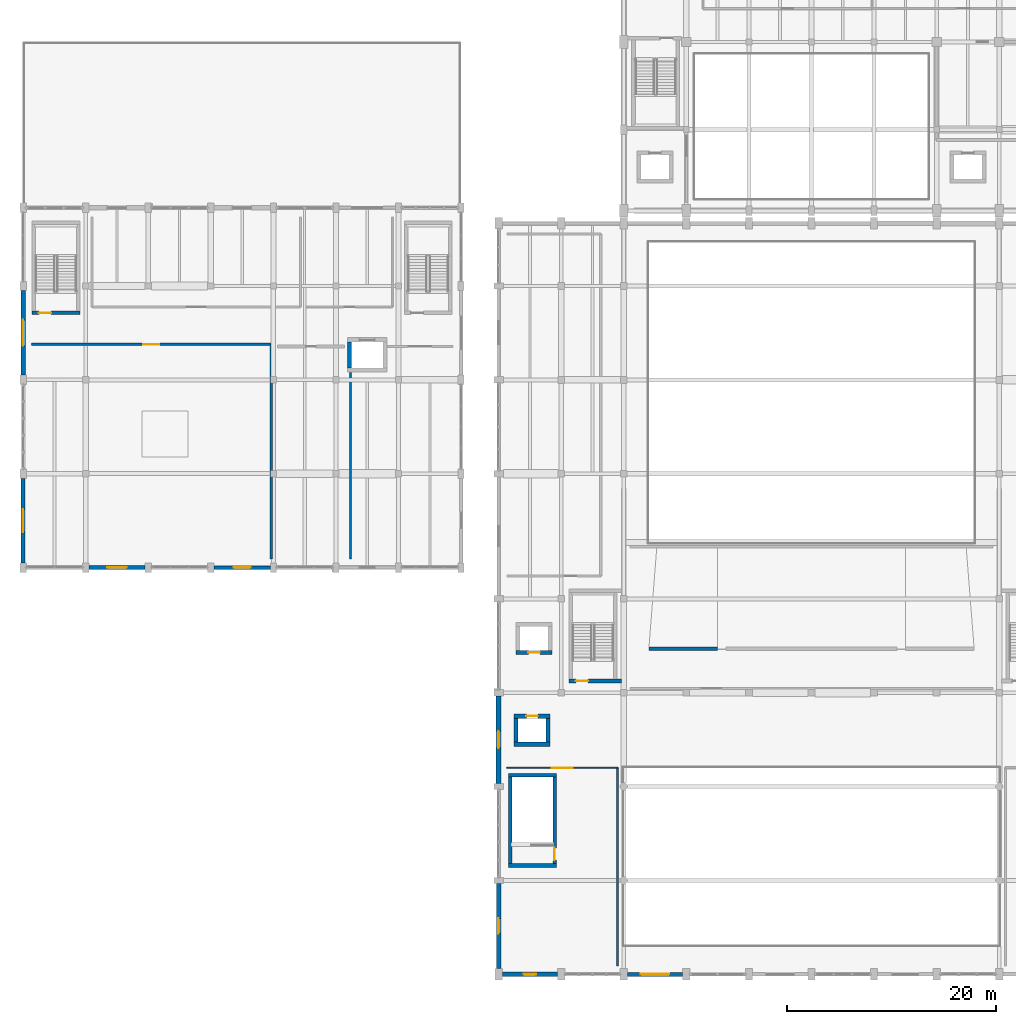
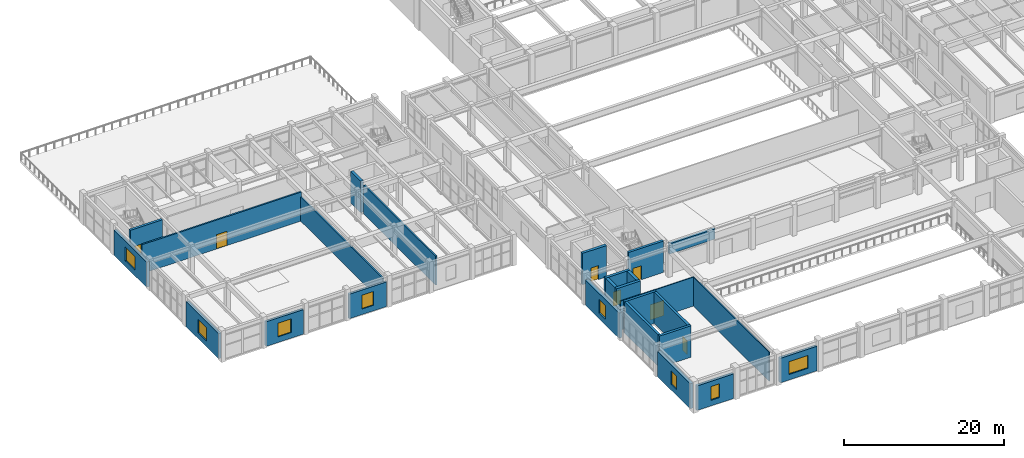
# One storey, part 56 of 80: 26 walls, 8 windows, 7 doors, 15 openings.
"""IFC4 building model written with IfcOpenShell, lengths in metres."""

from ifc_helpers import new_model, si_unit, direction, frame, frame_2d, origin, place, context, subcontext, project, spatial, rectangle, extrude, material, layer, layer_set, type_object, element, fill, save


model = new_model("IFC4")

# Units and contexts
model_context = context("Model", 3, precision=1e-05, world=origin(), true_north=direction((0.0, 1.0)))
body_context = subcontext(model_context, "Body", "Model", "MODEL_VIEW")
ifc_project = project(units=[si_unit("LENGTHUNIT", "METRE"), si_unit("AREAUNIT", "SQUARE_METRE"), si_unit("VOLUMEUNIT", "CUBIC_METRE"), si_unit("PLANEANGLEUNIT", "RADIAN"), si_unit("MASSUNIT", "GRAM", prefix="KILO")], contexts=[model_context])

# Site, building, storey
site_placement = place(None, origin())
site = spatial("IfcSite", under=ifc_project, at=site_placement, CompositionType="ELEMENT")
building_placement = place(site_placement, origin())
building = spatial("IfcBuilding", under=site, at=building_placement, Name="Vaelkrest Opera House", CompositionType="ELEMENT")
storey_placement = place(building_placement, frame((0.0, 0.0, 15.0)))
storey = spatial("IfcBuildingStorey", under=building, at=storey_placement, Name="L03", CompositionType="ELEMENT", Elevation=15.0)

# Wall, opening, window
ifc_material_1 = material(Name="American black walnut acoustic timber", Category="wood")
ifc_layer_1 = layer(ifc_material_1, 0.3349609375)
ifc_layer_set_1 = layer_set([ifc_layer_1], Name="American black walnut acoustic timber")
wall_type_1 = type_object("IfcWallType", Name="EW05", PredefinedType="STANDARD", material=ifc_layer_set_1)
wall_1_placement = place(storey_placement, frame((-51.89794921875, -16.800048828125, 0.0), z_axis=(0.0, 0.0, 1.0), x_axis=(-1.0, 0.0, 0.0)))
wall_1 = element("IfcWall", 1, at=wall_1_placement, inside=storey, type_object=wall_type_1, Name="Exterior facade wall EW-V3-L03-0185", PredefinedType="STANDARD", context=body_context, shape_type="SweptSolid", body=[
    extrude(rectangle(XDim=5.404052734375, YDim=0.3349609375, at=frame_2d((2.7021484375, 0.0))), origin(), (0.0, 0.0, 1.0), 3.7451171875),
])
opening_1_placement = place(wall_1_placement, frame((1.876953125, 0.0, 0.85009765625)))
opening_1 = element("IfcOpeningElement", 2, at=opening_1_placement, cuts=wall_1, Name="Opening WN093", PredefinedType="OPENING", context=body_context, shape_type="SweptSolid", body=[
    extrude(rectangle(XDim=1.64990234375, YDim=2.10009765625, at=frame_2d((0.824951171875, 1.050048828125))), frame((0.0, 0.177490234375, 0.0), z_axis=(0.0, -1.0, 0.0), x_axis=(1.0, 0.0, 0.0)), (0.0, 0.0, 1.0), 0.35498046875),
])
ifc_material_2 = material(Name="Double low-E insulated glazing", Category="glass")
window_type_1 = type_object("IfcWindowType", Name="WT15", PartitioningType="SINGLE_PANEL", PredefinedType="WINDOW", material=ifc_material_2)
window_1_placement = place(opening_1_placement, origin())
window_1 = element("IfcWindow", 3, at=window_1_placement, inside=storey, type_object=window_type_1, Name="Facade window WN093", OverallHeight=2.10009765625, OverallWidth=1.64990234375, PartitioningType="SINGLE_PANEL", PredefinedType="WINDOW", context=body_context, shape_type="SweptSolid", body=[
    extrude(rectangle(XDim=1.64990234375, YDim=2.10009765625, at=frame_2d((0.824951171875, 1.050048828125))), frame((0.0, 0.030029296875, 0.0), z_axis=(0.0, -1.0, 0.0), x_axis=(1.0, 0.0, 0.0)), (0.0, 0.0, 1.0), 0.06005859375),
])
fill(opening_1, window_1)

ifc_layer_2 = layer(ifc_material_1, 0.360107421875)
ifc_layer_set_2 = layer_set([ifc_layer_2], Name="American black walnut acoustic timber")
wall_type_2 = type_object("IfcWallType", Name="EW06", PredefinedType="STANDARD", material=ifc_layer_set_2)
wall_2_placement = place(storey_placement, frame((-63.89794921875, -16.800048828125, 0.0), z_axis=(0.0, 0.0, 1.0), x_axis=(-1.0, 0.0, 0.0)))
wall_2 = element("IfcWall", 4, at=wall_2_placement, inside=storey, type_object=wall_type_2, Name="Exterior facade wall EW-V3-L03-0186", PredefinedType="STANDARD", context=body_context, shape_type="SweptSolid", body=[
    extrude(rectangle(XDim=5.404052734375, YDim=0.360107421875, at=frame_2d((2.7021484375, 0.0))), origin(), (0.0, 0.0, 1.0), 3.7451171875),
])
opening_2_placement = place(wall_2_placement, frame((1.751953125, 0.0, 0.85009765625)))
opening_2 = element("IfcOpeningElement", 5, at=opening_2_placement, cuts=wall_2, Name="Opening WN094", PredefinedType="OPENING", context=body_context, shape_type="SweptSolid", body=[
    extrude(rectangle(XDim=1.89990234375, YDim=2.10009765625, at=frame_2d((0.949951171875, 1.050048828125))), frame((0.0, 0.18994140625, 0.0), z_axis=(0.0, -1.0, 0.0), x_axis=(1.0, 0.0, 0.0)), (0.0, 0.0, 1.0), 0.380126953125),
])
window_type_2 = type_object("IfcWindowType", Name="WT16", PartitioningType="SINGLE_PANEL", PredefinedType="WINDOW", material=ifc_material_2)
window_2_placement = place(opening_2_placement, origin())
window_2 = element("IfcWindow", 6, at=window_2_placement, inside=storey, type_object=window_type_2, Name="Facade window WN094", OverallHeight=2.10009765625, OverallWidth=1.89990234375, PartitioningType="SINGLE_PANEL", PredefinedType="WINDOW", context=body_context, shape_type="SweptSolid", body=[
    extrude(rectangle(XDim=1.89990234375, YDim=2.10009765625, at=frame_2d((0.949951171875, 1.050048828125))), frame((0.0, 0.030029296875, 0.0), z_axis=(0.0, -1.0, 0.0), x_axis=(1.0, 0.0, 0.0)), (0.0, 0.0, 1.0), 0.06005859375),
])
fill(opening_2, window_2)

ifc_material_3 = material(Name="Concrete C40/50", Category="concrete")
ifc_layer_3 = layer(ifc_material_3, 0.385009765625)
ifc_layer_set_3 = layer_set([ifc_layer_3], Name="Concrete C40/50")
wall_type_3 = type_object("IfcWallType", Name="EW07", PredefinedType="STANDARD", material=ifc_layer_set_3)
wall_3_placement = place(storey_placement, frame((-12.347900390625, -55.800048828125, 0.0), z_axis=(0.0, 0.0, 1.0), x_axis=(-1.0, 0.0, 0.0)))
wall_3 = element("IfcWall", 7, at=wall_3_placement, inside=storey, type_object=wall_type_3, Name="Exterior facade wall EW-V1-L03-0077", PredefinedType="STANDARD", context=body_context, shape_type="SweptSolid", body=[
    extrude(rectangle(XDim=5.30419921875, YDim=0.385009765625, at=frame_2d((2.652099609375, 0.0))), origin(), (0.0, 0.0, 1.0), 3.7451171875),
])
opening_3_placement = place(wall_3_placement, frame((1.277099609375, 0.0, 0.85009765625)))
opening_3 = element("IfcOpeningElement", 8, at=opening_3_placement, cuts=wall_3, Name="Opening WN038", PredefinedType="OPENING", context=body_context, shape_type="SweptSolid", body=[
    extrude(rectangle(XDim=2.75, YDim=1.949951171875, at=frame_2d((1.375, 0.97509765625))), frame((0.0, 0.202392578125, 0.0), z_axis=(0.0, -1.0, 0.0), x_axis=(1.0, 0.0, 0.0)), (0.0, 0.0, 1.0), 0.405029296875),
])
window_type_3 = type_object("IfcWindowType", Name="WT12", PartitioningType="SINGLE_PANEL", PredefinedType="WINDOW", material=ifc_material_2)
window_3_placement = place(opening_3_placement, origin())
window_3 = element("IfcWindow", 9, at=window_3_placement, inside=storey, type_object=window_type_3, Name="Facade window WN038", OverallHeight=1.949951171875, OverallWidth=2.75, PartitioningType="SINGLE_PANEL", PredefinedType="WINDOW", context=body_context, shape_type="SweptSolid", body=[
    extrude(rectangle(XDim=2.75, YDim=1.949951171875, at=frame_2d((1.375, 0.97509765625))), frame((0.0, 0.030029296875, 0.0), z_axis=(0.0, -1.0, 0.0), x_axis=(1.0, 0.0, 0.0)), (0.0, 0.0, 1.0), 0.06005859375),
])
fill(opening_3, window_3)

wall_4_placement = place(storey_placement, frame((-75.60009765625, -16.35205078125, 0.0), z_axis=(0.0, 0.0, 1.0), x_axis=(0.0, 1.0, 0.0)))
wall_4 = element("IfcWall", 10, at=wall_4_placement, inside=storey, type_object=wall_type_3, Name="Exterior facade wall EW-V3-L03-0187", PredefinedType="STANDARD", context=body_context, shape_type="SweptSolid", body=[
    extrude(rectangle(XDim=8.10400390625, YDim=0.385009765625, at=frame_2d((4.052001953125, 0.0))), origin(), (0.0, 0.0, 1.0), 3.8291015625),
])
opening_4_placement = place(wall_4_placement, frame((2.951904296875, 0.0, 0.85009765625)))
opening_4 = element("IfcOpeningElement", 11, at=opening_4_placement, cuts=wall_4, Name="Opening WN095", PredefinedType="OPENING", context=body_context, shape_type="SweptSolid", body=[
    extrude(rectangle(XDim=2.199951171875, YDim=2.10009765625, at=frame_2d((1.10009765625, 1.050048828125))), frame((0.0, 0.202392578125, 0.0), z_axis=(0.0, -1.0, 0.0), x_axis=(1.0, 0.0, 0.0)), (0.0, 0.0, 1.0), 0.405029296875),
])
window_type_4 = type_object("IfcWindowType", Name="WT17", PartitioningType="SINGLE_PANEL", PredefinedType="WINDOW", material=ifc_material_2)
window_4_placement = place(opening_4_placement, origin())
window_4 = element("IfcWindow", 12, at=window_4_placement, inside=storey, type_object=window_type_4, Name="Facade window WN095", OverallHeight=2.10009765625, OverallWidth=2.199951171875, PartitioningType="SINGLE_PANEL", PredefinedType="WINDOW", context=body_context, shape_type="SweptSolid", body=[
    extrude(rectangle(XDim=2.199951171875, YDim=2.10009765625, at=frame_2d((1.10009765625, 1.050048828125))), frame((0.0, 0.030029296875, 0.0), z_axis=(0.0, -1.0, 0.0), x_axis=(1.0, 0.0, 0.0)), (0.0, 0.0, 1.0), 0.06005859375),
])
fill(opening_4, window_4)

ifc_layer_4 = layer(ifc_material_3, 0.409912109375)
ifc_layer_set_4 = layer_set([ifc_layer_4], Name="Concrete C40/50")
wall_type_4 = type_object("IfcWallType", Name="EW08", PredefinedType="STANDARD", material=ifc_layer_set_4)
wall_5_placement = place(storey_placement, frame((-24.347900390625, -55.800048828125, 0.0), z_axis=(0.0, 0.0, 1.0), x_axis=(-1.0, 0.0, 0.0)))
wall_5 = element("IfcWall", 13, at=wall_5_placement, inside=storey, type_object=wall_type_4, Name="Exterior facade wall EW-V1-L03-0078", PredefinedType="STANDARD", context=body_context, shape_type="SweptSolid", body=[
    extrude(rectangle(XDim=5.30419921875, YDim=0.409912109375, at=frame_2d((2.652099609375, 0.0))), origin(), (0.0, 0.0, 1.0), 3.7451171875),
])
opening_5_placement = place(wall_5_placement, frame((2.052001953125, 0.0, 0.85009765625)))
opening_5 = element("IfcOpeningElement", 14, at=opening_5_placement, cuts=wall_5, Name="Opening WN039", PredefinedType="OPENING", context=body_context, shape_type="SweptSolid", body=[
    extrude(rectangle(XDim=1.199951171875, YDim=2.10009765625, at=frame_2d((0.60009765625, 1.050048828125))), frame((0.0, 0.21484375, 0.0), z_axis=(0.0, -1.0, 0.0), x_axis=(1.0, 0.0, 0.0)), (0.0, 0.0, 1.0), 0.429931640625),
])
window_type_5 = type_object("IfcWindowType", Name="WT13", PartitioningType="SINGLE_PANEL", PredefinedType="WINDOW", material=ifc_material_2)
window_5_placement = place(opening_5_placement, origin())
window_5 = element("IfcWindow", 15, at=window_5_placement, inside=storey, type_object=window_type_5, Name="Facade window WN039", OverallHeight=2.10009765625, OverallWidth=1.199951171875, PartitioningType="SINGLE_PANEL", PredefinedType="WINDOW", context=body_context, shape_type="SweptSolid", body=[
    extrude(rectangle(XDim=1.199951171875, YDim=2.10009765625, at=frame_2d((0.60009765625, 1.050048828125))), frame((0.0, 0.030029296875, 0.0), z_axis=(0.0, -1.0, 0.0), x_axis=(1.0, 0.0, 0.0)), (0.0, 0.0, 1.0), 0.06005859375),
])
fill(opening_5, window_5)

wall_6_placement = place(storey_placement, frame((-75.60009765625, 1.64794921875, 0.0), z_axis=(0.0, 0.0, 1.0), x_axis=(0.0, 1.0, 0.0)))
wall_6 = element("IfcWall", 16, at=wall_6_placement, inside=storey, type_object=wall_type_4, Name="Exterior facade wall EW-V3-L03-0188", PredefinedType="STANDARD", context=body_context, shape_type="SweptSolid", body=[
    extrude(rectangle(XDim=8.10400390625, YDim=0.409912109375, at=frame_2d((4.052001953125, 0.0))), origin(), (0.0, 0.0, 1.0), 3.8291015625),
])
opening_6_placement = place(wall_6_placement, frame((2.802001953125, 0.0, 0.85009765625)))
opening_6 = element("IfcOpeningElement", 17, at=opening_6_placement, cuts=wall_6, Name="Opening WN096", PredefinedType="OPENING", context=body_context, shape_type="SweptSolid", body=[
    extrude(rectangle(XDim=2.5, YDim=2.10009765625, at=frame_2d((1.25, 1.050048828125))), frame((0.0, 0.21484375, 0.0), z_axis=(0.0, -1.0, 0.0), x_axis=(1.0, 0.0, 0.0)), (0.0, 0.0, 1.0), 0.429931640625),
])
window_type_6 = type_object("IfcWindowType", Name="WT18", PartitioningType="SINGLE_PANEL", PredefinedType="WINDOW", material=ifc_material_2)
window_6_placement = place(opening_6_placement, origin())
window_6 = element("IfcWindow", 18, at=window_6_placement, inside=storey, type_object=window_type_6, Name="Facade window WN096", OverallHeight=2.10009765625, OverallWidth=2.5, PartitioningType="SINGLE_PANEL", PredefinedType="WINDOW", context=body_context, shape_type="SweptSolid", body=[
    extrude(rectangle(XDim=2.5, YDim=2.10009765625, at=frame_2d((1.25, 1.050048828125))), frame((0.0, 0.030029296875, 0.0), z_axis=(0.0, -1.0, 0.0), x_axis=(1.0, 0.0, 0.0)), (0.0, 0.0, 1.0), 0.06005859375),
])
fill(opening_6, window_6)

ifc_layer_5 = layer(ifc_material_3, 0.43505859375)
ifc_layer_set_5 = layer_set([ifc_layer_5], Name="Concrete C40/50")
wall_type_5 = type_object("IfcWallType", Name="EW09", PredefinedType="STANDARD", material=ifc_layer_set_5)
wall_7_placement = place(storey_placement, frame((-30.0, -55.251953125, 0.0), z_axis=(0.0, 0.0, 1.0), x_axis=(0.0, 1.0, 0.0)))
wall_7 = element("IfcWall", 19, at=wall_7_placement, inside=storey, type_object=wall_type_5, Name="Exterior facade wall EW-V1-L03-0079", PredefinedType="STANDARD", context=body_context, shape_type="SweptSolid", body=[
    extrude(rectangle(XDim=8.154052734375, YDim=0.43505859375, at=frame_2d((4.0771484375, 0.0))), origin(), (0.0, 0.0, 1.0), 3.8291015625),
])
opening_7_placement = place(wall_7_placement, frame((3.35205078125, 0.0, 0.85009765625)))
opening_7 = element("IfcOpeningElement", 20, at=opening_7_placement, cuts=wall_7, Name="Opening WN040", PredefinedType="OPENING", context=body_context, shape_type="SweptSolid", body=[
    extrude(rectangle(XDim=1.449951171875, YDim=2.10009765625, at=frame_2d((0.72509765625, 1.050048828125))), frame((0.0, 0.2275390625, 0.0), z_axis=(0.0, -1.0, 0.0), x_axis=(1.0, 0.0, 0.0)), (0.0, 0.0, 1.0), 0.455078125),
])
window_type_7 = type_object("IfcWindowType", Name="WT14", PartitioningType="SINGLE_PANEL", PredefinedType="WINDOW", material=ifc_material_2)
window_7_placement = place(opening_7_placement, origin())
window_7 = element("IfcWindow", 21, at=window_7_placement, inside=storey, type_object=window_type_7, Name="Facade window WN040", OverallHeight=2.10009765625, OverallWidth=1.449951171875, PartitioningType="SINGLE_PANEL", PredefinedType="WINDOW", context=body_context, shape_type="SweptSolid", body=[
    extrude(rectangle(XDim=1.449951171875, YDim=2.10009765625, at=frame_2d((0.72509765625, 1.050048828125))), frame((0.0, 0.030029296875, 0.0), z_axis=(0.0, -1.0, 0.0), x_axis=(1.0, 0.0, 0.0)), (0.0, 0.0, 1.0), 0.06005859375),
])
fill(opening_7, window_7)

ifc_layer_6 = layer(ifc_material_3, 0.465087890625)
ifc_layer_set_6 = layer_set([ifc_layer_6], Name="Concrete C40/50")
wall_type_6 = type_object("IfcWallType", Name="EW10", PredefinedType="STANDARD", material=ifc_layer_set_6)
wall_8_placement = place(storey_placement, frame((-30.0, -37.501953125, 0.0), z_axis=(0.0, 0.0, 1.0), x_axis=(0.0, 1.0, 0.0)))
wall_8 = element("IfcWall", 22, at=wall_8_placement, inside=storey, type_object=wall_type_6, Name="Exterior facade wall EW-V1-L03-0080", PredefinedType="STANDARD", context=body_context, shape_type="SweptSolid", body=[
    extrude(rectangle(XDim=8.404052734375, YDim=0.465087890625, at=frame_2d((4.2021484375, 0.0))), origin(), (0.0, 0.0, 1.0), 3.8291015625),
])
opening_8_placement = place(wall_8_placement, frame((3.376953125, 0.0, 0.85009765625)))
opening_8 = element("IfcOpeningElement", 23, at=opening_8_placement, cuts=wall_8, Name="Opening WN041", PredefinedType="OPENING", context=body_context, shape_type="SweptSolid", body=[
    extrude(rectangle(XDim=1.64990234375, YDim=2.10009765625, at=frame_2d((0.824951171875, 1.050048828125))), frame((0.0, 0.242431640625, 0.0), z_axis=(0.0, -1.0, 0.0), x_axis=(1.0, 0.0, 0.0)), (0.0, 0.0, 1.0), 0.485107421875),
])
window_8_placement = place(opening_8_placement, origin())
window_8 = element("IfcWindow", 24, at=window_8_placement, inside=storey, type_object=window_type_1, Name="Facade window WN041", OverallHeight=2.10009765625, OverallWidth=1.64990234375, PartitioningType="SINGLE_PANEL", PredefinedType="WINDOW", context=body_context, shape_type="SweptSolid", body=[
    extrude(rectangle(XDim=1.64990234375, YDim=2.10009765625, at=frame_2d((0.824951171875, 1.050048828125))), frame((0.0, 0.030029296875, 0.0), z_axis=(0.0, -1.0, 0.0), x_axis=(1.0, 0.0, 0.0)), (0.0, 0.0, 1.0), 0.06005859375),
])
fill(opening_8, window_8)

# Wall, opening, door
ifc_material_4 = material(Name="Gypsum acoustic board", Category="gypsum")
ifc_layer_7 = layer(ifc_material_4, 0.135009765625)
ifc_layer_set_7 = layer_set([ifc_layer_7], Name="Gypsum acoustic board")
wall_type_7 = type_object("IfcWallType", Name="PT02", PredefinedType="PARTITIONING", material=ifc_layer_set_7)
wall_9_placement = place(storey_placement, frame((-29.199951171875, -36.0, 0.0), z_axis=(0.0, 0.0, 1.0), x_axis=(1.0, 0.0, 0.0)))
wall_9 = element("IfcWall", 25, at=wall_9_placement, inside=storey, type_object=wall_type_7, Name="Interior partition PT-V1-L03-0086", PredefinedType="PARTITIONING", context=body_context, shape_type="SweptSolid", body=[
    extrude(rectangle(XDim=10.599853515625, YDim=0.135009765625, at=frame_2d((5.2998046875, 0.0))), origin(), (0.0, 0.0, 1.0), 4.419921875),
])
opening_9_placement = place(wall_9_placement, frame((4.300048828125, 0.0, 0.0)))
opening_9 = element("IfcOpeningElement", 26, at=opening_9_placement, cuts=wall_9, Name="Opening D034", PredefinedType="OPENING", context=body_context, shape_type="SweptSolid", body=[
    extrude(rectangle(XDim=2.0, YDim=2.35009765625, at=frame_2d((1.0, 1.175048828125))), frame((0.0, 0.077392578125, 0.0), z_axis=(0.0, -1.0, 0.0), x_axis=(1.0, 0.0, 0.0)), (0.0, 0.0, 1.0), 0.155029296875),
])
door_type_1 = type_object("IfcDoorType", Name="DT16", OperationType="DOUBLE_DOOR_SINGLE_SWING", PredefinedType="DOOR", material=ifc_material_1)
door_1_placement = place(opening_9_placement, origin())
door_1 = element("IfcDoor", 27, at=door_1_placement, inside=storey, type_object=door_type_1, Name="Interior door D034 (Upper Circle Foyer)", OperationType="DOUBLE_DOOR_SINGLE_SWING", OverallHeight=2.35009765625, OverallWidth=2.0, PredefinedType="DOOR", context=body_context, shape_type="SweptSolid", body=[
    extrude(rectangle(XDim=2.0, YDim=2.35009765625, at=frame_2d((1.0, 1.175048828125))), frame((0.0, 0.02490234375, 0.0), z_axis=(0.0, -1.0, 0.0), x_axis=(1.0, 0.0, 0.0)), (0.0, 0.0, 1.0), 0.050048828125),
])
fill(opening_9, door_1)

# Walls
ifc_layer_8 = layer(ifc_material_4, 0.14990234375)
ifc_layer_set_8 = layer_set([ifc_layer_8], Name="Gypsum acoustic board")
wall_type_8 = type_object("IfcWallType", Name="PT03", PredefinedType="PARTITIONING", material=ifc_layer_set_8)
wall_10_placement = place(storey_placement, frame((-18.60009765625, -55.0, 0.0), z_axis=(0.0, 0.0, 1.0), x_axis=(0.0, 1.0, 0.0)))
element("IfcWall", 28, at=wall_10_placement, inside=storey, type_object=wall_type_8, Name="Interior partition PT-V1-L03-0087", PredefinedType="PARTITIONING", context=body_context, shape_type="SweptSolid", body=[
    extrude(rectangle(XDim=19.0, YDim=0.14990234375, at=frame_2d((9.5, 0.0))), origin(), (0.0, 0.0, 1.0), 4.419921875),
])
ifc_layer_9 = layer(ifc_material_1, 0.2099609375)
ifc_layer_set_9 = layer_set([ifc_layer_9], Name="American black walnut acoustic timber")
wall_type_9 = type_object("IfcWallType", Name="PT07", PredefinedType="PARTITIONING", material=ifc_layer_set_9)
wall_11_placement = place(storey_placement, frame((-51.800048828125, -16.0, 0.0), z_axis=(0.0, 0.0, 1.0), x_axis=(0.0, 1.0, 0.0)))
element("IfcWall", 29, at=wall_11_placement, inside=storey, type_object=wall_type_9, Name="Interior partition PT-V3-L03-0305", PredefinedType="PARTITIONING", context=body_context, shape_type="SweptSolid", body=[
    extrude(rectangle(XDim=20.60009765625, YDim=0.2099609375, at=frame_2d((10.300048828125, 0.0))), origin(), (0.0, 0.0, 1.0), 3.68994140625),
])
wall_12_placement = place(storey_placement, frame((-44.199951171875, -16.0, 0.0), z_axis=(0.0, 0.0, 1.0), x_axis=(0.0, 1.0, 0.0)))
element("IfcWall", 30, at=wall_12_placement, inside=storey, type_object=wall_type_9, Name="Interior partition PT-V3-L03-0313", PredefinedType="PARTITIONING", context=body_context, shape_type="SweptSolid", body=[
    extrude(rectangle(XDim=17.89990234375, YDim=0.2099609375, at=frame_2d((8.949951171875, 0.0))), origin(), (0.0, 0.0, 1.0), 4.419921875),
])

# Wall, opening, door
ifc_layer_10 = layer(ifc_material_1, 0.22509765625)
ifc_layer_set_10 = layer_set([ifc_layer_10], Name="American black walnut acoustic timber")
wall_type_10 = type_object("IfcWallType", Name="PT08", PredefinedType="PARTITIONING", material=ifc_layer_set_10)
wall_13_placement = place(storey_placement, frame((-74.800048828125, 4.60009765625, 0.0), z_axis=(0.0, 0.0, 1.0), x_axis=(1.0, 0.0, 0.0)))
wall_13 = element("IfcWall", 31, at=wall_13_placement, inside=storey, type_object=wall_type_10, Name="Interior partition PT-V3-L03-0304", PredefinedType="PARTITIONING", context=body_context, shape_type="SweptSolid", body=[
    extrude(rectangle(XDim=23.0, YDim=0.22509765625, at=frame_2d((11.5, 0.0))), origin(), (0.0, 0.0, 1.0), 4.419921875),
])
opening_10_placement = place(wall_13_placement, frame((10.72509765625, 0.0, 0.0)))
opening_10 = element("IfcOpeningElement", 32, at=opening_10_placement, cuts=wall_13, Name="Opening D121", PredefinedType="OPENING", context=body_context, shape_type="SweptSolid", body=[
    extrude(rectangle(XDim=1.550048828125, YDim=2.199951171875, at=frame_2d((0.77490234375, 1.10009765625))), frame((0.0, 0.12255859375, 0.0), z_axis=(0.0, -1.0, 0.0), x_axis=(1.0, 0.0, 0.0)), (0.0, 0.0, 1.0), 0.2451171875),
])
door_type_2 = type_object("IfcDoorType", Name="DT13", OperationType="DOUBLE_DOOR_SINGLE_SWING", PredefinedType="DOOR", material=ifc_material_1)
door_2_placement = place(opening_10_placement, origin())
door_2 = element("IfcDoor", 33, at=door_2_placement, inside=storey, type_object=door_type_2, Name="Interior door D121 (Ballet Rehearsal Stage)", OperationType="DOUBLE_DOOR_SINGLE_SWING", OverallHeight=2.199951171875, OverallWidth=1.550048828125, PredefinedType="DOOR", context=body_context, shape_type="SweptSolid", body=[
    extrude(rectangle(XDim=1.550048828125, YDim=2.199951171875, at=frame_2d((0.77490234375, 1.10009765625))), frame((0.0, 0.02490234375, 0.0), z_axis=(0.0, -1.0, 0.0), x_axis=(1.0, 0.0, 0.0)), (0.0, 0.0, 1.0), 0.050048828125),
])
fill(opening_10, door_2)

# Wall
ifc_material_5 = material(Name="Concrete C50/60", Category="concrete")
ifc_layer_11 = layer(ifc_material_5, 0.35009765625)
ifc_layer_set_11 = layer_set([ifc_layer_11], Name="Concrete C50/60")
wall_type_11 = type_object("IfcWallType", Name="SW01", PredefinedType="SHEAR", material=ifc_layer_set_11)
wall_14_placement = place(storey_placement, frame((-15.60009765625, -24.60009765625, 0.0), z_axis=(0.0, 0.0, 1.0), x_axis=(1.0, 0.0, 0.0)))
element("IfcWall", 34, at=wall_14_placement, inside=storey, type_object=wall_type_11, Name="Auditorium seating tier rear wall L03-1", PredefinedType="SHEAR", context=body_context, shape_type="SweptSolid", body=[
    extrude(rectangle(XDim=6.60009765625, YDim=0.35009765625, at=frame_2d((3.300048828125, 0.0))), origin(), (0.0, 0.0, 1.0), 1.56494140625),
])

# Wall, opening, door
wall_15_placement = place(storey_placement, frame((-18.22509765625, -27.675048828125, 0.0), z_axis=(0.0, 0.0, 1.0), x_axis=(-1.0, 0.0, 0.0)))
wall_15 = element("IfcWall", 35, at=wall_15_placement, inside=storey, type_object=wall_type_11, Name="Stair core ST01 wall L03 S", PredefinedType="SHEAR", context=body_context, shape_type="SweptSolid", body=[
    extrude(rectangle(XDim=5.02490234375, YDim=0.35009765625, at=frame_2d((2.512451171875, 0.0))), origin(), (0.0, 0.0, 1.0), 4.800048828125),
])
opening_11_placement = place(wall_15_placement, frame((3.195068359375, 0.0, 0.0)))
opening_11 = element("IfcOpeningElement", 36, at=opening_11_placement, cuts=wall_15, Name="Opening SD-ST01-L03", PredefinedType="OPENING", context=body_context, shape_type="SweptSolid", body=[
    extrude(rectangle(XDim=1.179931640625, YDim=2.14990234375, at=frame_2d((0.58984375, 1.074951171875))), frame((0.0, 0.18505859375, 0.0), z_axis=(0.0, -1.0, 0.0), x_axis=(1.0, 0.0, 0.0)), (0.0, 0.0, 1.0), 0.3701171875),
])
door_type_3 = type_object("IfcDoorType", Name="DT07", OperationType="NOTDEFINED", PredefinedType="DOOR", material=ifc_material_1)
door_3_placement = place(opening_11_placement, origin())
door_3 = element("IfcDoor", 37, at=door_3_placement, inside=storey, type_object=door_type_3, Name="Protected stair door SD-ST01-L03", OperationType="SINGLE_SWING_RIGHT", OverallHeight=2.14990234375, OverallWidth=1.179931640625, PredefinedType="DOOR", context=body_context, shape_type="SweptSolid", body=[
    extrude(rectangle(XDim=1.179931640625, YDim=2.14990234375, at=frame_2d((0.58984375, 1.074951171875))), frame((0.0, 0.02490234375, 0.0), z_axis=(0.0, -1.0, 0.0), x_axis=(1.0, 0.0, 0.0)), (0.0, 0.0, 1.0), 0.050048828125),
])
fill(opening_11, door_3)

# Walls
wall_16_placement = place(storey_placement, frame((-24.449951171875, -45.375, 0.0), z_axis=(0.0, 0.0, 1.0), x_axis=(-1.0, 0.0, 0.0)))
element("IfcWall", 38, at=wall_16_placement, inside=storey, type_object=wall_type_11, Name="Stair core ST03 wall L03 S", PredefinedType="SHEAR", context=body_context, shape_type="SweptSolid", body=[
    extrude(rectangle(XDim=4.60009765625, YDim=0.35009765625, at=frame_2d((2.300048828125, 0.0))), origin(), (0.0, 0.0, 1.0), 4.800048828125),
])
wall_17_placement = place(storey_placement, frame((-28.875, -45.199951171875, 0.0), z_axis=(0.0, 0.0, 1.0), x_axis=(0.0, 1.0, 0.0)))
element("IfcWall", 39, at=wall_17_placement, inside=storey, type_object=wall_type_11, Name="Stair core ST03 wall L03 W", PredefinedType="SHEAR", context=body_context, shape_type="SweptSolid", body=[
    extrude(rectangle(XDim=8.300048828125, YDim=0.35009765625, at=frame_2d((4.14990234375, 0.0))), origin(), (0.0, 0.0, 1.0), 4.800048828125),
])
wall_18_placement = place(storey_placement, frame((-29.050048828125, -36.72509765625, 0.0), z_axis=(0.0, 0.0, 1.0), x_axis=(1.0, 0.0, 0.0)))
element("IfcWall", 40, at=wall_18_placement, inside=storey, type_object=wall_type_11, Name="Stair core ST03 wall L03 N", PredefinedType="SHEAR", context=body_context, shape_type="SweptSolid", body=[
    extrude(rectangle(XDim=4.60009765625, YDim=0.35009765625, at=frame_2d((2.300048828125, 0.0))), origin(), (0.0, 0.0, 1.0), 4.800048828125),
])

# Wall, opening, door
wall_19_placement = place(storey_placement, frame((-24.625, -36.89990234375, 0.0), z_axis=(0.0, 0.0, 1.0), x_axis=(0.0, -1.0, 0.0)))
wall_19 = element("IfcWall", 41, at=wall_19_placement, inside=storey, type_object=wall_type_11, Name="Stair core ST03 wall L03 E", PredefinedType="SHEAR", context=body_context, shape_type="SweptSolid", body=[
    extrude(rectangle(XDim=8.300048828125, YDim=0.35009765625, at=frame_2d((4.14990234375, 0.0))), origin(), (0.0, 0.0, 1.0), 4.800048828125),
])
opening_12_placement = place(wall_19_placement, frame((6.77001953125, 0.0, 0.0)))
opening_12 = element("IfcOpeningElement", 42, at=opening_12_placement, cuts=wall_19, Name="Opening SD-ST03-L03", PredefinedType="OPENING", context=body_context, shape_type="SweptSolid", body=[
    extrude(rectangle(XDim=1.179931640625, YDim=2.14990234375, at=frame_2d((0.58984375, 1.074951171875))), frame((0.0, 0.18505859375, 0.0), z_axis=(0.0, -1.0, 0.0), x_axis=(1.0, 0.0, 0.0)), (0.0, 0.0, 1.0), 0.3701171875),
])
door_4_placement = place(opening_12_placement, origin())
door_4 = element("IfcDoor", 43, at=door_4_placement, inside=storey, type_object=door_type_3, Name="Protected stair door SD-ST03-L03", OperationType="SINGLE_SWING_RIGHT", OverallHeight=2.14990234375, OverallWidth=1.179931640625, PredefinedType="DOOR", context=body_context, shape_type="SweptSolid", body=[
    extrude(rectangle(XDim=1.179931640625, YDim=2.14990234375, at=frame_2d((0.58984375, 1.074951171875))), frame((0.0, 0.02490234375, 0.0), z_axis=(0.0, -1.0, 0.0), x_axis=(1.0, 0.0, 0.0)), (0.0, 0.0, 1.0), 0.050048828125),
])
fill(opening_12, door_4)

wall_20_placement = place(storey_placement, frame((-70.14990234375, 7.625, 0.0), z_axis=(0.0, 0.0, 1.0), x_axis=(-1.0, 0.0, 0.0)))
wall_20 = element("IfcWall", 44, at=wall_20_placement, inside=storey, type_object=wall_type_11, Name="Stair core ST07 wall L03 S", PredefinedType="SHEAR", context=body_context, shape_type="SweptSolid", body=[
    extrude(rectangle(XDim=4.60009765625, YDim=0.35009765625, at=frame_2d((2.300048828125, 0.0))), origin(), (0.0, 0.0, 1.0), 4.800048828125),
])
opening_13_placement = place(wall_20_placement, frame((2.77001953125, 0.0, 0.0)))
opening_13 = element("IfcOpeningElement", 45, at=opening_13_placement, cuts=wall_20, Name="Opening SD-ST07-L03", PredefinedType="OPENING", context=body_context, shape_type="SweptSolid", body=[
    extrude(rectangle(XDim=1.179931640625, YDim=2.14990234375, at=frame_2d((0.58984375, 1.074951171875))), frame((0.0, 0.18505859375, 0.0), z_axis=(0.0, -1.0, 0.0), x_axis=(1.0, 0.0, 0.0)), (0.0, 0.0, 1.0), 0.3701171875),
])
door_5_placement = place(opening_13_placement, origin())
door_5 = element("IfcDoor", 46, at=door_5_placement, inside=storey, type_object=door_type_3, Name="Protected stair door SD-ST07-L03", OperationType="SINGLE_SWING_RIGHT", OverallHeight=2.14990234375, OverallWidth=1.179931640625, PredefinedType="DOOR", context=body_context, shape_type="SweptSolid", body=[
    extrude(rectangle(XDim=1.179931640625, YDim=2.14990234375, at=frame_2d((0.58984375, 1.074951171875))), frame((0.0, 0.02490234375, 0.0), z_axis=(0.0, -1.0, 0.0), x_axis=(1.0, 0.0, 0.0)), (0.0, 0.0, 1.0), 0.050048828125),
])
fill(opening_13, door_5)

ifc_layer_12 = layer(ifc_material_5, 0.389892578125)
ifc_layer_set_12 = layer_set([ifc_layer_12], Name="Concrete C50/60")
wall_type_12 = type_object("IfcWallType", Name="SW02", PredefinedType="SHEAR", material=ifc_layer_set_12)
wall_21_placement = place(storey_placement, frame((-24.860107421875, -24.945068359375, 0.0), z_axis=(0.0, 0.0, 1.0), x_axis=(-1.0, 0.0, 0.0)))
wall_21 = element("IfcWall", 47, at=wall_21_placement, inside=storey, type_object=wall_type_12, Name="Lift shaft LP01 wall L03 S", PredefinedType="SHEAR", context=body_context, shape_type="SweptSolid", body=[
    extrude(rectangle(XDim=3.47998046875, YDim=0.389892578125, at=frame_2d((1.739990234375, 0.0))), origin(), (0.0, 0.0, 1.0), 4.800048828125),
])
opening_14_placement = place(wall_21_placement, frame((1.18994140625, 0.0, 0.0)))
opening_14 = element("IfcOpeningElement", 48, at=opening_14_placement, cuts=wall_21, Name="Opening LD-LP01-L03", PredefinedType="OPENING", context=body_context, shape_type="SweptSolid", body=[
    extrude(rectangle(XDim=1.10009765625, YDim=2.14990234375, at=frame_2d((0.550048828125, 1.074951171875))), frame((0.0, 0.204833984375, 0.0), z_axis=(0.0, -1.0, 0.0), x_axis=(1.0, 0.0, 0.0)), (0.0, 0.0, 1.0), 0.409912109375),
])
ifc_material_6 = material(Name="Dark bronze anodized aluminium", Category="aluminium")
door_type_4 = type_object("IfcDoorType", Name="LDT01", OperationType="SLIDING_TO_LEFT", PredefinedType="DOOR", material=ifc_material_6)
door_6_placement = place(opening_14_placement, origin())
door_6 = element("IfcDoor", 49, at=door_6_placement, inside=storey, type_object=door_type_4, Name="Lift landing sliding door LD-LP01-L03", OperationType="SLIDING_TO_LEFT", OverallHeight=2.14990234375, OverallWidth=1.10009765625, PredefinedType="DOOR", context=body_context, shape_type="SweptSolid", body=[
    extrude(rectangle(XDim=1.10009765625, YDim=2.14990234375, at=frame_2d((0.550048828125, 1.074951171875))), frame((0.0, 0.02490234375, 0.0), z_axis=(0.0, -1.0, 0.0), x_axis=(1.0, 0.0, 0.0)), (0.0, 0.0, 1.0), 0.050048828125),
])
fill(opening_14, door_6)

# Wall
wall_22_placement = place(storey_placement, frame((-25.06005859375, -33.7451171875, 0.0), z_axis=(0.0, 0.0, 1.0), x_axis=(-1.0, 0.0, 0.0)))
element("IfcWall", 50, at=wall_22_placement, inside=storey, type_object=wall_type_12, Name="Lift shaft LP03 wall L03 S", PredefinedType="SHEAR", context=body_context, shape_type="SweptSolid", body=[
    extrude(rectangle(XDim=3.47998046875, YDim=0.389892578125, at=frame_2d((1.739990234375, 0.0))), origin(), (0.0, 0.0, 1.0), 4.800048828125),
])

# Wall, opening, door
wall_23_placement = place(storey_placement, frame((-28.5400390625, -31.054931640625, 0.0), z_axis=(0.0, 0.0, 1.0), x_axis=(1.0, 0.0, 0.0)))
wall_23 = element("IfcWall", 51, at=wall_23_placement, inside=storey, type_object=wall_type_12, Name="Lift shaft LP03 wall L03 N", PredefinedType="SHEAR", context=body_context, shape_type="SweptSolid", body=[
    extrude(rectangle(XDim=3.47998046875, YDim=0.389892578125, at=frame_2d((1.739990234375, 0.0))), origin(), (0.0, 0.0, 1.0), 4.800048828125),
])
opening_15_placement = place(wall_23_placement, frame((1.18994140625, 0.0, 0.0)))
opening_15 = element("IfcOpeningElement", 52, at=opening_15_placement, cuts=wall_23, Name="Opening LD-LP03-L03", PredefinedType="OPENING", context=body_context, shape_type="SweptSolid", body=[
    extrude(rectangle(XDim=1.10009765625, YDim=2.14990234375, at=frame_2d((0.550048828125, 1.074951171875))), frame((0.0, 0.204833984375, 0.0), z_axis=(0.0, -1.0, 0.0), x_axis=(1.0, 0.0, 0.0)), (0.0, 0.0, 1.0), 0.409912109375),
])
door_7_placement = place(opening_15_placement, origin())
door_7 = element("IfcDoor", 53, at=door_7_placement, inside=storey, type_object=door_type_4, Name="Lift landing sliding door LD-LP03-L03", OperationType="SLIDING_TO_LEFT", OverallHeight=2.14990234375, OverallWidth=1.10009765625, PredefinedType="DOOR", context=body_context, shape_type="SweptSolid", body=[
    extrude(rectangle(XDim=1.10009765625, YDim=2.14990234375, at=frame_2d((0.550048828125, 1.074951171875))), frame((0.0, 0.02490234375, 0.0), z_axis=(0.0, -1.0, 0.0), x_axis=(1.0, 0.0, 0.0)), (0.0, 0.0, 1.0), 0.050048828125),
])
fill(opening_15, door_7)

# Walls
for number, where, z_axis, x_axis, name in (
    (54, (-28.344970703125, -33.550048828125, 0.0), (0.0, 0.0, 1.0), (0.0, 1.0, 0.0), "Lift shaft LP03 wall L03 W"),
    (55, (-25.2548828125, -31.25, 0.0), (0.0, 0.0, 1.0), (0.0, -1.0, 0.0), "Lift shaft LP03 wall L03 E"),
):
    element("IfcWall", number, at=place(storey_placement, frame(where, z_axis=z_axis, x_axis=x_axis)), inside=storey, type_object=wall_type_12, Name=name, PredefinedType="SHEAR", context=body_context, shape_type="SweptSolid", body=[
        extrude(rectangle(XDim=2.300048828125, YDim=0.389892578125, at=frame_2d((1.14990234375, 0.0))), origin(), (0.0, 0.0, 1.0), 4.800048828125),
    ])
wall_24_placement = place(storey_placement, frame((-44.294921875, 2.35009765625, 0.0), z_axis=(0.0, 0.0, 1.0), x_axis=(0.0, 1.0, 0.0)))
element("IfcWall", 56, at=wall_24_placement, inside=storey, type_object=wall_type_12, Name="Lift shaft LP05 wall L03 W", PredefinedType="SHEAR", context=body_context, shape_type="SweptSolid", body=[
    extrude(rectangle(XDim=2.5, YDim=0.389892578125, at=frame_2d((1.25, 0.0))), origin(), (0.0, 0.0, 1.0), 4.800048828125),
])

save(model, "model.ifc")
